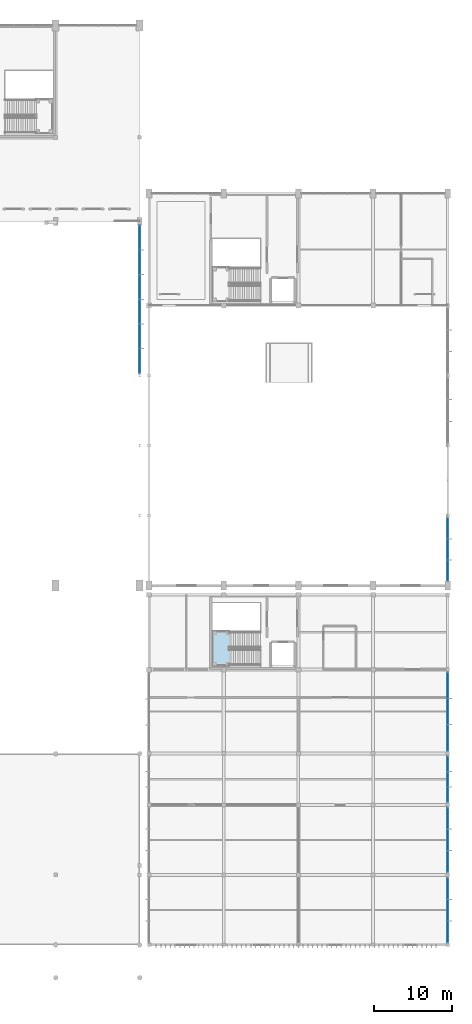
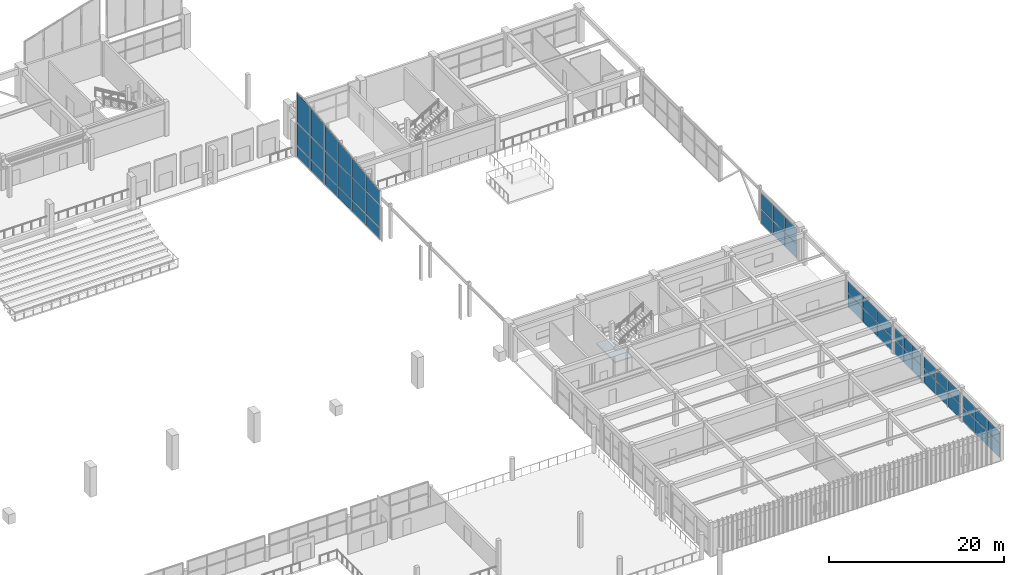
# One storey, part 45 of 74: 48 plates, 1 slab, 7 elements without a shape of their own.
"""IFC4 building model written with IfcOpenShell, lengths in metres."""

from ifc_helpers import new_model, si_unit, direction, frame, origin, place, context, subcontext, project, spatial, polyline, outline, extrude, material, layer, layer_set, type_object, element, aggregate, save


model = new_model("IFC4")

# Units and contexts
model_context = context("Model", 3, precision=1e-05, world=origin(), true_north=direction((0.0, 1.0)))
body_context = subcontext(model_context, "Body", "Model", "MODEL_VIEW")
ifc_project = project(units=[si_unit("LENGTHUNIT", "METRE"), si_unit("AREAUNIT", "SQUARE_METRE"), si_unit("VOLUMEUNIT", "CUBIC_METRE"), si_unit("PLANEANGLEUNIT", "RADIAN"), si_unit("MASSUNIT", "GRAM", prefix="KILO")], contexts=[model_context])

# Site, building, storey
site_placement = place(None, origin())
site = spatial("IfcSite", under=ifc_project, at=site_placement, CompositionType="ELEMENT")
building_placement = place(site_placement, origin())
building = spatial("IfcBuilding", under=site, at=building_placement, Name="Suirenkawa Promenade Aquatics Centre", CompositionType="ELEMENT")
storey_placement = place(building_placement, frame((0.0, 0.0, 4.800048828125)))
storey = spatial("IfcBuildingStorey", under=building, at=storey_placement, Name="L01", CompositionType="ELEMENT", Elevation=4.800048828125)

# Curtain wall, plates
ifc_material_1 = material(Name="Anodised aluminium 6063-T6", Category="aluminium")
curtain_wall_type_1 = type_object("IfcCurtainWallType", Name="CWAT-GABLEV1-04", PredefinedType="NOTDEFINED", material=ifc_material_1)
curtain_wall_1_placement = place(storey_placement, origin())
curtain_wall_1 = element("IfcCurtainWall", 1, at=curtain_wall_1_placement, inside=storey, type_object=curtain_wall_type_1, Name="Curtain wall CWA-04 CW-008", PredefinedType="NOTDEFINED")
ifc_material_2 = material(Name="Ceramic-fritted low-SHGC double glazing", Category="glass")
ifc_layer_1 = layer(ifc_material_2, 0.035888671875, Name="Ceramic-fritted low-SHGC double glazing", Category="glass")
ifc_layer_set_1 = layer_set([ifc_layer_1], Name="Ceramic-fritted low-SHGC double glazing")
plate_type = type_object("IfcPlateType", Name="CWP-SHOJI-36", PredefinedType="CURTAIN_PANEL", material=ifc_layer_set_1)
plate_1_placement = place(storey_placement, frame((154.800048828125, 96.700927734375, 0.0400390625), z_axis=(0.0, 0.0, 1.0), x_axis=(0.0, -1.0, 0.0)))
plate_1 = element("IfcPlate", 2, at=plate_1_placement, type_object=plate_type, Name="Glazed panel CP-01 CWP-00187", PredefinedType="CURTAIN_PANEL", context=body_context, shape_type="SweptSolid", body=[
    extrude(outline(polyline([(0.0400390625, 0.0), (3.126953125, 0.0), (3.126953125, 1.52001953125), (0.0400390625, 1.52001953125), (0.0400390625, 0.0)])), frame((0.0, 0.01806640625, 0.0), z_axis=(0.0, -1.0, 0.0), x_axis=(1.0, 0.0, 0.0)), (0.0, 0.0, 1.0), 0.035888671875),
])
plate_2_placement = place(storey_placement, frame((154.800048828125, 96.700927734375, 1.639892578125), z_axis=(0.0, 0.0, 1.0), x_axis=(0.0, -1.0, 0.0)))
plate_2 = element("IfcPlate", 3, at=plate_2_placement, type_object=plate_type, Name="Glazed panel CP-01 CWP-00188", PredefinedType="CURTAIN_PANEL", context=body_context, shape_type="SweptSolid", body=[
    extrude(outline(polyline([(0.0400390625, 0.0), (3.126953125, 0.0), (3.126953125, 3.1201171875), (0.0400390625, 3.1201171875), (0.0400390625, 0.0)])), frame((0.0, 0.01806640625, 0.0), z_axis=(0.0, -1.0, 0.0), x_axis=(1.0, 0.0, 0.0)), (0.0, 0.0, 1.0), 0.035888671875),
])
plate_3_placement = place(storey_placement, frame((154.800048828125, 96.700927734375, 4.83984375), z_axis=(0.0, 0.0, 1.0), x_axis=(0.0, -1.0, 0.0)))
plate_3 = element("IfcPlate", 4, at=plate_3_placement, type_object=plate_type, Name="Top glazed panel CP-01 CWP-00189", PredefinedType="CURTAIN_PANEL", context=body_context, shape_type="SweptSolid", body=[
    extrude(outline(polyline([(0.0400390625, 0.0), (3.126953125, 0.0), (3.126953125, 3.9296875), (0.0400390625, 4.1171875), (0.0400390625, 0.0)])), frame((0.0, 0.01806640625, 0.0), z_axis=(0.0, -1.0, 0.0), x_axis=(1.0, 0.0, 0.0)), (0.0, 0.0, 1.0), 0.035888671875),
])
plate_4_placement = place(storey_placement, frame((154.800048828125, 93.533935546875, 0.0400390625), z_axis=(0.0, 0.0, 1.0), x_axis=(0.0, -1.0, 0.0)))
plate_4 = element("IfcPlate", 5, at=plate_4_placement, type_object=plate_type, Name="Glazed panel CP-01 CWP-00190", PredefinedType="CURTAIN_PANEL", context=body_context, shape_type="SweptSolid", body=[
    extrude(outline(polyline([(0.0400390625, 0.0), (3.126953125, 0.0), (3.126953125, 1.52001953125), (0.0400390625, 1.52001953125), (0.0400390625, 0.0)])), frame((0.0, 0.01806640625, 0.0), z_axis=(0.0, -1.0, 0.0), x_axis=(1.0, 0.0, 0.0)), (0.0, 0.0, 1.0), 0.035888671875),
])
plate_5_placement = place(storey_placement, frame((154.800048828125, 93.533935546875, 1.639892578125), z_axis=(0.0, 0.0, 1.0), x_axis=(0.0, -1.0, 0.0)))
plate_5 = element("IfcPlate", 6, at=plate_5_placement, type_object=plate_type, Name="Glazed panel CP-01 CWP-00191", PredefinedType="CURTAIN_PANEL", context=body_context, shape_type="SweptSolid", body=[
    extrude(outline(polyline([(0.0400390625, 0.0), (3.126953125, 0.0), (3.126953125, 3.1201171875), (0.0400390625, 3.1201171875), (0.0400390625, 0.0)])), frame((0.0, 0.01806640625, 0.0), z_axis=(0.0, -1.0, 0.0), x_axis=(1.0, 0.0, 0.0)), (0.0, 0.0, 1.0), 0.035888671875),
])
plate_6_placement = place(storey_placement, frame((154.800048828125, 93.533935546875, 4.83984375), z_axis=(0.0, 0.0, 1.0), x_axis=(0.0, -1.0, 0.0)))
plate_6 = element("IfcPlate", 7, at=plate_6_placement, type_object=plate_type, Name="Top glazed panel CP-01 CWP-00192", PredefinedType="CURTAIN_PANEL", context=body_context, shape_type="SweptSolid", body=[
    extrude(outline(polyline([(0.0400390625, 0.0), (3.126953125, 0.0), (3.126953125, 3.521484375), (0.0400390625, 3.9296875), (0.0400390625, 0.0)])), frame((0.0, 0.01806640625, 0.0), z_axis=(0.0, -1.0, 0.0), x_axis=(1.0, 0.0, 0.0)), (0.0, 0.0, 1.0), 0.035888671875),
])
plate_7_placement = place(storey_placement, frame((154.800048828125, 90.366943359375, 0.0400390625), z_axis=(0.0, 0.0, 1.0), x_axis=(0.0, -1.0, 0.0)))
plate_7 = element("IfcPlate", 8, at=plate_7_placement, type_object=plate_type, Name="Glazed panel CP-01 CWP-00193", PredefinedType="CURTAIN_PANEL", context=body_context, shape_type="SweptSolid", body=[
    extrude(outline(polyline([(0.0400390625, 0.0), (3.126953125, 0.0), (3.126953125, 1.52001953125), (0.0400390625, 1.52001953125), (0.0400390625, 0.0)])), frame((0.0, 0.01806640625, 0.0), z_axis=(0.0, -1.0, 0.0), x_axis=(1.0, 0.0, 0.0)), (0.0, 0.0, 1.0), 0.035888671875),
])
plate_8_placement = place(storey_placement, frame((154.800048828125, 90.366943359375, 1.639892578125), z_axis=(0.0, 0.0, 1.0), x_axis=(0.0, -1.0, 0.0)))
plate_8 = element("IfcPlate", 9, at=plate_8_placement, type_object=plate_type, Name="Glazed panel CP-01 CWP-00194", PredefinedType="CURTAIN_PANEL", context=body_context, shape_type="SweptSolid", body=[
    extrude(outline(polyline([(0.0400390625, 0.0), (3.126953125, 0.0), (3.126953125, 3.1201171875), (0.0400390625, 3.1201171875), (0.0400390625, 0.0)])), frame((0.0, 0.01806640625, 0.0), z_axis=(0.0, -1.0, 0.0), x_axis=(1.0, 0.0, 0.0)), (0.0, 0.0, 1.0), 0.035888671875),
])
plate_9_placement = place(storey_placement, frame((154.800048828125, 90.366943359375, 4.83984375), z_axis=(0.0, 0.0, 1.0), x_axis=(0.0, -1.0, 0.0)))
plate_9 = element("IfcPlate", 10, at=plate_9_placement, type_object=plate_type, Name="Top glazed panel CP-01 CWP-00195", PredefinedType="CURTAIN_PANEL", context=body_context, shape_type="SweptSolid", body=[
    extrude(outline(polyline([(0.0400390625, 0.0), (3.126953125, 0.0), (3.126953125, 3.11328125), (0.0400390625, 3.521484375), (0.0400390625, 0.0)])), frame((0.0, 0.01806640625, 0.0), z_axis=(0.0, -1.0, 0.0), x_axis=(1.0, 0.0, 0.0)), (0.0, 0.0, 1.0), 0.035888671875),
])
plate_10_placement = place(storey_placement, frame((154.800048828125, 87.199951171875, 0.0400390625), z_axis=(0.0, 0.0, 1.0), x_axis=(0.0, -1.0, 0.0)))
plate_10 = element("IfcPlate", 11, at=plate_10_placement, type_object=plate_type, Name="Glazed panel CP-01 CWP-00196", PredefinedType="CURTAIN_PANEL", context=body_context, shape_type="SweptSolid", body=[
    extrude(outline(polyline([(0.0400390625, 0.0), (3.126953125, 0.0), (3.126953125, 1.52001953125), (0.0400390625, 1.52001953125), (0.0400390625, 0.0)])), frame((0.0, 0.01806640625, 0.0), z_axis=(0.0, -1.0, 0.0), x_axis=(1.0, 0.0, 0.0)), (0.0, 0.0, 1.0), 0.035888671875),
])
plate_11_placement = place(storey_placement, frame((154.800048828125, 87.199951171875, 1.639892578125), z_axis=(0.0, 0.0, 1.0), x_axis=(0.0, -1.0, 0.0)))
plate_11 = element("IfcPlate", 12, at=plate_11_placement, type_object=plate_type, Name="Glazed panel CP-01 CWP-00197", PredefinedType="CURTAIN_PANEL", context=body_context, shape_type="SweptSolid", body=[
    extrude(outline(polyline([(0.0400390625, 0.0), (3.126953125, 0.0), (3.126953125, 3.1201171875), (0.0400390625, 3.1201171875), (0.0400390625, 0.0)])), frame((0.0, 0.01806640625, 0.0), z_axis=(0.0, -1.0, 0.0), x_axis=(1.0, 0.0, 0.0)), (0.0, 0.0, 1.0), 0.035888671875),
])
plate_12_placement = place(storey_placement, frame((154.800048828125, 87.199951171875, 4.83984375), z_axis=(0.0, 0.0, 1.0), x_axis=(0.0, -1.0, 0.0)))
plate_12 = element("IfcPlate", 13, at=plate_12_placement, type_object=plate_type, Name="Top glazed panel CP-01 CWP-00198", PredefinedType="CURTAIN_PANEL", context=body_context, shape_type="SweptSolid", body=[
    extrude(outline(polyline([(0.0400390625, 0.0), (3.126953125, 0.0), (3.126953125, 2.705078125), (0.0400390625, 3.11328125), (0.0400390625, 0.0)])), frame((0.0, 0.01806640625, 0.0), z_axis=(0.0, -1.0, 0.0), x_axis=(1.0, 0.0, 0.0)), (0.0, 0.0, 1.0), 0.035888671875),
])
plate_13_placement = place(storey_placement, frame((154.800048828125, 84.032958984375, 0.0400390625), z_axis=(0.0, 0.0, 1.0), x_axis=(0.0, -1.0, 0.0)))
plate_13 = element("IfcPlate", 14, at=plate_13_placement, type_object=plate_type, Name="Glazed panel CP-01 CWP-00199", PredefinedType="CURTAIN_PANEL", context=body_context, shape_type="SweptSolid", body=[
    extrude(outline(polyline([(0.0400390625, 0.0), (3.126953125, 0.0), (3.126953125, 1.52001953125), (0.0400390625, 1.52001953125), (0.0400390625, 0.0)])), frame((0.0, 0.01806640625, 0.0), z_axis=(0.0, -1.0, 0.0), x_axis=(1.0, 0.0, 0.0)), (0.0, 0.0, 1.0), 0.035888671875),
])
plate_14_placement = place(storey_placement, frame((154.800048828125, 84.032958984375, 1.639892578125), z_axis=(0.0, 0.0, 1.0), x_axis=(0.0, -1.0, 0.0)))
plate_14 = element("IfcPlate", 15, at=plate_14_placement, type_object=plate_type, Name="Glazed panel CP-01 CWP-00200", PredefinedType="CURTAIN_PANEL", context=body_context, shape_type="SweptSolid", body=[
    extrude(outline(polyline([(0.0400390625, 0.0), (3.126953125, 0.0), (3.126953125, 3.1201171875), (0.0400390625, 3.1201171875), (0.0400390625, 0.0)])), frame((0.0, 0.01806640625, 0.0), z_axis=(0.0, -1.0, 0.0), x_axis=(1.0, 0.0, 0.0)), (0.0, 0.0, 1.0), 0.035888671875),
])
plate_15_placement = place(storey_placement, frame((154.800048828125, 84.032958984375, 4.83984375), z_axis=(0.0, 0.0, 1.0), x_axis=(0.0, -1.0, 0.0)))
plate_15 = element("IfcPlate", 16, at=plate_15_placement, type_object=plate_type, Name="Top glazed panel CP-01 CWP-00201", PredefinedType="CURTAIN_PANEL", context=body_context, shape_type="SweptSolid", body=[
    extrude(outline(polyline([(0.0400390625, 0.0), (3.126953125, 0.0), (3.126953125, 2.296875), (0.0400390625, 2.705078125), (0.0400390625, 0.0)])), frame((0.0, 0.01806640625, 0.0), z_axis=(0.0, -1.0, 0.0), x_axis=(1.0, 0.0, 0.0)), (0.0, 0.0, 1.0), 0.035888671875),
])
plate_16_placement = place(storey_placement, frame((154.800048828125, 80.865966796875, 0.0400390625), z_axis=(0.0, 0.0, 1.0), x_axis=(0.0, -1.0, 0.0)))
plate_16 = element("IfcPlate", 17, at=plate_16_placement, type_object=plate_type, Name="Glazed panel CP-01 CWP-00202", PredefinedType="CURTAIN_PANEL", context=body_context, shape_type="SweptSolid", body=[
    extrude(outline(polyline([(0.0400390625, 0.0), (3.126953125, 0.0), (3.126953125, 1.52001953125), (0.0400390625, 1.52001953125), (0.0400390625, 0.0)])), frame((0.0, 0.01806640625, 0.0), z_axis=(0.0, -1.0, 0.0), x_axis=(1.0, 0.0, 0.0)), (0.0, 0.0, 1.0), 0.035888671875),
])
plate_17_placement = place(storey_placement, frame((154.800048828125, 80.865966796875, 1.639892578125), z_axis=(0.0, 0.0, 1.0), x_axis=(0.0, -1.0, 0.0)))
plate_17 = element("IfcPlate", 18, at=plate_17_placement, type_object=plate_type, Name="Glazed panel CP-01 CWP-00203", PredefinedType="CURTAIN_PANEL", context=body_context, shape_type="SweptSolid", body=[
    extrude(outline(polyline([(0.0400390625, 0.0), (3.126953125, 0.0), (3.126953125, 3.1201171875), (0.0400390625, 3.1201171875), (0.0400390625, 0.0)])), frame((0.0, 0.01806640625, 0.0), z_axis=(0.0, -1.0, 0.0), x_axis=(1.0, 0.0, 0.0)), (0.0, 0.0, 1.0), 0.035888671875),
])
plate_18_placement = place(storey_placement, frame((154.800048828125, 80.865966796875, 4.83984375), z_axis=(0.0, 0.0, 1.0), x_axis=(0.0, -1.0, 0.0)))
plate_18 = element("IfcPlate", 19, at=plate_18_placement, type_object=plate_type, Name="Top glazed panel CP-01 CWP-00204", PredefinedType="CURTAIN_PANEL", context=body_context, shape_type="SweptSolid", body=[
    extrude(outline(polyline([(0.0400390625, 0.0), (3.126953125, 0.0), (3.126953125, 1.888671875), (0.0400390625, 2.296875), (0.0400390625, 0.0)])), frame((0.0, 0.01806640625, 0.0), z_axis=(0.0, -1.0, 0.0), x_axis=(1.0, 0.0, 0.0)), (0.0, 0.0, 1.0), 0.035888671875),
])
aggregate(curtain_wall_1, [plate_1, plate_2, plate_3, plate_4, plate_5, plate_6, plate_7, plate_8, plate_9, plate_10, plate_11, plate_12, plate_13, plate_14, plate_15, plate_16, plate_17, plate_18])

curtain_wall_type_2 = type_object("IfcCurtainWallType", Name="CWAT-V2E-20", PredefinedType="NOTDEFINED", material=ifc_material_1)
curtain_wall_2_placement = place(storey_placement, origin())
curtain_wall_2 = element("IfcCurtainWall", 20, at=curtain_wall_2_placement, inside=storey, type_object=curtain_wall_type_2, Name="Curtain wall CWA-20 CW-048", PredefinedType="NOTDEFINED")
plate_19_placement = place(storey_placement, frame((194.39990234375, 59.10107421875, -0.31005859375), z_axis=(0.0, 0.0, 1.0), x_axis=(0.0, -1.0, 0.0)))
plate_19 = element("IfcPlate", 21, at=plate_19_placement, type_object=plate_type, Name="Glazed panel CP-01 CWP-00984", PredefinedType="CURTAIN_PANEL", context=body_context, shape_type="SweptSolid", body=[
    extrude(outline(polyline([(0.0400390625, 0.0), (2.66064453125, 0.0), (2.66064453125, 1.969970703125), (0.0400390625, 1.969970703125), (0.0400390625, 0.0)])), frame((0.0, 0.01806640625, 0.0), z_axis=(0.0, -1.0, 0.0), x_axis=(1.0, 0.0, 0.0)), (0.0, 0.0, 1.0), 0.035888671875),
])
plate_20_placement = place(storey_placement, frame((194.39990234375, 59.10107421875, 1.739990234375), z_axis=(0.0, 0.0, 1.0), x_axis=(0.0, -1.0, 0.0)))
plate_20 = element("IfcPlate", 22, at=plate_20_placement, type_object=plate_type, Name="Top glazed panel CP-01 CWP-00985", PredefinedType="CURTAIN_PANEL", context=body_context, shape_type="SweptSolid", body=[
    extrude(outline(polyline([(0.0400390625, 0.0), (2.66064453125, 0.0), (2.66064453125, 2.125), (0.0400390625, 2.125), (0.0400390625, 0.0)])), frame((0.0, 0.01806640625, 0.0), z_axis=(0.0, -1.0, 0.0), x_axis=(1.0, 0.0, 0.0)), (0.0, 0.0, 1.0), 0.035888671875),
])
plate_21_placement = place(storey_placement, frame((194.39990234375, 56.400390625, -0.31005859375), z_axis=(0.0, 0.0, 1.0), x_axis=(0.0, -1.0, 0.0)))
plate_21 = element("IfcPlate", 23, at=plate_21_placement, type_object=plate_type, Name="Glazed panel CP-01 CWP-00986", PredefinedType="CURTAIN_PANEL", context=body_context, shape_type="SweptSolid", body=[
    extrude(outline(polyline([(0.0400390625, 0.0), (2.66064453125, 0.0), (2.66064453125, 1.969970703125), (0.0400390625, 1.969970703125), (0.0400390625, 0.0)])), frame((0.0, 0.01806640625, 0.0), z_axis=(0.0, -1.0, 0.0), x_axis=(1.0, 0.0, 0.0)), (0.0, 0.0, 1.0), 0.035888671875),
])
plate_22_placement = place(storey_placement, frame((194.39990234375, 56.400390625, 1.739990234375), z_axis=(0.0, 0.0, 1.0), x_axis=(0.0, -1.0, 0.0)))
plate_22 = element("IfcPlate", 24, at=plate_22_placement, type_object=plate_type, Name="Top glazed panel CP-01 CWP-00987", PredefinedType="CURTAIN_PANEL", context=body_context, shape_type="SweptSolid", body=[
    extrude(outline(polyline([(0.0400390625, 0.0), (2.66064453125, 0.0), (2.66064453125, 2.125), (0.0400390625, 2.125), (0.0400390625, 0.0)])), frame((0.0, 0.01806640625, 0.0), z_axis=(0.0, -1.0, 0.0), x_axis=(1.0, 0.0, 0.0)), (0.0, 0.0, 1.0), 0.035888671875),
])
plate_23_placement = place(storey_placement, frame((194.39990234375, 53.69970703125, -0.31005859375), z_axis=(0.0, 0.0, 1.0), x_axis=(0.0, -1.0, 0.0)))
plate_23 = element("IfcPlate", 25, at=plate_23_placement, type_object=plate_type, Name="Glazed panel CP-01 CWP-00988", PredefinedType="CURTAIN_PANEL", context=body_context, shape_type="SweptSolid", body=[
    extrude(outline(polyline([(0.0400390625, 0.0), (2.66064453125, 0.0), (2.66064453125, 1.969970703125), (0.0400390625, 1.969970703125), (0.0400390625, 0.0)])), frame((0.0, 0.01806640625, 0.0), z_axis=(0.0, -1.0, 0.0), x_axis=(1.0, 0.0, 0.0)), (0.0, 0.0, 1.0), 0.035888671875),
])
plate_24_placement = place(storey_placement, frame((194.39990234375, 53.69970703125, 1.739990234375), z_axis=(0.0, 0.0, 1.0), x_axis=(0.0, -1.0, 0.0)))
plate_24 = element("IfcPlate", 26, at=plate_24_placement, type_object=plate_type, Name="Top glazed panel CP-01 CWP-00989", PredefinedType="CURTAIN_PANEL", context=body_context, shape_type="SweptSolid", body=[
    extrude(outline(polyline([(0.0400390625, 0.0), (2.66064453125, 0.0), (2.66064453125, 2.125), (0.0400390625, 2.125), (0.0400390625, 0.0)])), frame((0.0, 0.01806640625, 0.0), z_axis=(0.0, -1.0, 0.0), x_axis=(1.0, 0.0, 0.0)), (0.0, 0.0, 1.0), 0.035888671875),
])
aggregate(curtain_wall_2, [plate_19, plate_20, plate_21, plate_22, plate_23, plate_24])

curtain_wall_type_3 = type_object("IfcCurtainWallType", Name="CWAT-V4EL01-29", PredefinedType="NOTDEFINED", material=ifc_material_1)
curtain_wall_3_placement = place(storey_placement, origin())
curtain_wall_3 = element("IfcCurtainWall", 27, at=curtain_wall_3_placement, inside=storey, type_object=curtain_wall_type_3, Name="Curtain wall CWA-29 CW-072", PredefinedType="NOTDEFINED")
plate_25_placement = place(storey_placement, frame((194.39990234375, 12.85107421875, 0.0400390625), z_axis=(0.0, 0.0, 1.0), x_axis=(0.0, -1.0, 0.0)))
plate_25 = element("IfcPlate", 28, at=plate_25_placement, type_object=plate_type, Name="Glazed panel CP-01 CWP-01459", PredefinedType="CURTAIN_PANEL", context=body_context, shape_type="SweptSolid", body=[
    extrude(outline(polyline([(0.0400390625, 0.0), (2.743896484375, 0.0), (2.743896484375, 1.919921875), (0.0400390625, 1.919921875), (0.0400390625, 0.0)])), frame((0.0, 0.01806640625, 0.0), z_axis=(0.0, -1.0, 0.0), x_axis=(1.0, 0.0, 0.0)), (0.0, 0.0, 1.0), 0.035888671875),
])
plate_26_placement = place(storey_placement, frame((194.39990234375, 12.85107421875, 2.0400390625), z_axis=(0.0, 0.0, 1.0), x_axis=(0.0, -1.0, 0.0)))
plate_26 = element("IfcPlate", 29, at=plate_26_placement, type_object=plate_type, Name="Top glazed panel CP-01 CWP-01460", PredefinedType="CURTAIN_PANEL", context=body_context, shape_type="SweptSolid", body=[
    extrude(outline(polyline([(0.0400390625, 0.0), (2.743896484375, 0.0), (2.743896484375, 1.639892578125), (0.0400390625, 1.639892578125), (0.0400390625, 0.0)])), frame((0.0, 0.01806640625, 0.0), z_axis=(0.0, -1.0, 0.0), x_axis=(1.0, 0.0, 0.0)), (0.0, 0.0, 1.0), 0.035888671875),
])
plate_27_placement = place(storey_placement, frame((194.39990234375, 10.06689453125, 0.0400390625), z_axis=(0.0, 0.0, 1.0), x_axis=(0.0, -1.0, 0.0)))
plate_27 = element("IfcPlate", 30, at=plate_27_placement, type_object=plate_type, Name="Glazed panel CP-01 CWP-01461", PredefinedType="CURTAIN_PANEL", context=body_context, shape_type="SweptSolid", body=[
    extrude(outline(polyline([(0.0400390625, 0.0), (2.743896484375, 0.0), (2.743896484375, 1.919921875), (0.0400390625, 1.919921875), (0.0400390625, 0.0)])), frame((0.0, 0.01806640625, 0.0), z_axis=(0.0, -1.0, 0.0), x_axis=(1.0, 0.0, 0.0)), (0.0, 0.0, 1.0), 0.035888671875),
])
plate_28_placement = place(storey_placement, frame((194.39990234375, 10.06689453125, 2.0400390625), z_axis=(0.0, 0.0, 1.0), x_axis=(0.0, -1.0, 0.0)))
plate_28 = element("IfcPlate", 31, at=plate_28_placement, type_object=plate_type, Name="Top glazed panel CP-01 CWP-01462", PredefinedType="CURTAIN_PANEL", context=body_context, shape_type="SweptSolid", body=[
    extrude(outline(polyline([(0.0400390625, 0.0), (2.743896484375, 0.0), (2.743896484375, 1.639892578125), (0.0400390625, 1.639892578125), (0.0400390625, 0.0)])), frame((0.0, 0.01806640625, 0.0), z_axis=(0.0, -1.0, 0.0), x_axis=(1.0, 0.0, 0.0)), (0.0, 0.0, 1.0), 0.035888671875),
])
plate_29_placement = place(storey_placement, frame((194.39990234375, 7.282958984375, 0.0400390625), z_axis=(0.0, 0.0, 1.0), x_axis=(0.0, -1.0, 0.0)))
plate_29 = element("IfcPlate", 32, at=plate_29_placement, type_object=plate_type, Name="Glazed panel CP-01 CWP-01463", PredefinedType="CURTAIN_PANEL", context=body_context, shape_type="SweptSolid", body=[
    extrude(outline(polyline([(0.0400390625, 0.0), (2.743896484375, 0.0), (2.743896484375, 1.919921875), (0.0400390625, 1.919921875), (0.0400390625, 0.0)])), frame((0.0, 0.01806640625, 0.0), z_axis=(0.0, -1.0, 0.0), x_axis=(1.0, 0.0, 0.0)), (0.0, 0.0, 1.0), 0.035888671875),
])
plate_30_placement = place(storey_placement, frame((194.39990234375, 7.282958984375, 2.0400390625), z_axis=(0.0, 0.0, 1.0), x_axis=(0.0, -1.0, 0.0)))
plate_30 = element("IfcPlate", 33, at=plate_30_placement, type_object=plate_type, Name="Top glazed panel CP-01 CWP-01464", PredefinedType="CURTAIN_PANEL", context=body_context, shape_type="SweptSolid", body=[
    extrude(outline(polyline([(0.0400390625, 0.0), (2.743896484375, 0.0), (2.743896484375, 1.639892578125), (0.0400390625, 1.639892578125), (0.0400390625, 0.0)])), frame((0.0, 0.01806640625, 0.0), z_axis=(0.0, -1.0, 0.0), x_axis=(1.0, 0.0, 0.0)), (0.0, 0.0, 1.0), 0.035888671875),
])
aggregate(curtain_wall_3, [plate_25, plate_26, plate_27, plate_28, plate_29, plate_30])

curtain_wall_type_4 = type_object("IfcCurtainWallType", Name="CWAT-V4EL01-31", PredefinedType="NOTDEFINED", material=ifc_material_1)
curtain_wall_4_placement = place(storey_placement, origin())
curtain_wall_4 = element("IfcCurtainWall", 34, at=curtain_wall_4_placement, inside=storey, type_object=curtain_wall_type_4, Name="Curtain wall CWA-31 CW-074", PredefinedType="NOTDEFINED")
plate_31_placement = place(storey_placement, frame((194.39990234375, 21.85107421875, 0.0400390625), z_axis=(0.0, 0.0, 1.0), x_axis=(0.0, -1.0, 0.0)))
plate_31 = element("IfcPlate", 35, at=plate_31_placement, type_object=plate_type, Name="Glazed panel CP-01 CWP-01493", PredefinedType="CURTAIN_PANEL", context=body_context, shape_type="SweptSolid", body=[
    extrude(outline(polyline([(0.0400390625, 0.0), (2.727294921875, 0.0), (2.727294921875, 1.919921875), (0.0400390625, 1.919921875), (0.0400390625, 0.0)])), frame((0.0, 0.01806640625, 0.0), z_axis=(0.0, -1.0, 0.0), x_axis=(1.0, 0.0, 0.0)), (0.0, 0.0, 1.0), 0.035888671875),
])
plate_32_placement = place(storey_placement, frame((194.39990234375, 21.85107421875, 2.0400390625), z_axis=(0.0, 0.0, 1.0), x_axis=(0.0, -1.0, 0.0)))
plate_32 = element("IfcPlate", 36, at=plate_32_placement, type_object=plate_type, Name="Top glazed panel CP-01 CWP-01494", PredefinedType="CURTAIN_PANEL", context=body_context, shape_type="SweptSolid", body=[
    extrude(outline(polyline([(0.0400390625, 0.0), (2.727294921875, 0.0), (2.727294921875, 1.639892578125), (0.0400390625, 1.639892578125), (0.0400390625, 0.0)])), frame((0.0, 0.01806640625, 0.0), z_axis=(0.0, -1.0, 0.0), x_axis=(1.0, 0.0, 0.0)), (0.0, 0.0, 1.0), 0.035888671875),
])
plate_33_placement = place(storey_placement, frame((194.39990234375, 19.083740234375, 0.0400390625), z_axis=(0.0, 0.0, 1.0), x_axis=(0.0, -1.0, 0.0)))
plate_33 = element("IfcPlate", 37, at=plate_33_placement, type_object=plate_type, Name="Glazed panel CP-01 CWP-01495", PredefinedType="CURTAIN_PANEL", context=body_context, shape_type="SweptSolid", body=[
    extrude(outline(polyline([(0.0400390625, 0.0), (2.727294921875, 0.0), (2.727294921875, 1.919921875), (0.0400390625, 1.919921875), (0.0400390625, 0.0)])), frame((0.0, 0.01806640625, 0.0), z_axis=(0.0, -1.0, 0.0), x_axis=(1.0, 0.0, 0.0)), (0.0, 0.0, 1.0), 0.035888671875),
])
plate_34_placement = place(storey_placement, frame((194.39990234375, 19.083740234375, 2.0400390625), z_axis=(0.0, 0.0, 1.0), x_axis=(0.0, -1.0, 0.0)))
plate_34 = element("IfcPlate", 38, at=plate_34_placement, type_object=plate_type, Name="Top glazed panel CP-01 CWP-01496", PredefinedType="CURTAIN_PANEL", context=body_context, shape_type="SweptSolid", body=[
    extrude(outline(polyline([(0.0400390625, 0.0), (2.727294921875, 0.0), (2.727294921875, 1.639892578125), (0.0400390625, 1.639892578125), (0.0400390625, 0.0)])), frame((0.0, 0.01806640625, 0.0), z_axis=(0.0, -1.0, 0.0), x_axis=(1.0, 0.0, 0.0)), (0.0, 0.0, 1.0), 0.035888671875),
])
plate_35_placement = place(storey_placement, frame((194.39990234375, 16.31640625, 0.0400390625), z_axis=(0.0, 0.0, 1.0), x_axis=(0.0, -1.0, 0.0)))
plate_35 = element("IfcPlate", 39, at=plate_35_placement, type_object=plate_type, Name="Glazed panel CP-01 CWP-01497", PredefinedType="CURTAIN_PANEL", context=body_context, shape_type="SweptSolid", body=[
    extrude(outline(polyline([(0.0400390625, 0.0), (2.727294921875, 0.0), (2.727294921875, 1.919921875), (0.0400390625, 1.919921875), (0.0400390625, 0.0)])), frame((0.0, 0.01806640625, 0.0), z_axis=(0.0, -1.0, 0.0), x_axis=(1.0, 0.0, 0.0)), (0.0, 0.0, 1.0), 0.035888671875),
])
plate_36_placement = place(storey_placement, frame((194.39990234375, 16.31640625, 2.0400390625), z_axis=(0.0, 0.0, 1.0), x_axis=(0.0, -1.0, 0.0)))
plate_36 = element("IfcPlate", 40, at=plate_36_placement, type_object=plate_type, Name="Top glazed panel CP-01 CWP-01498", PredefinedType="CURTAIN_PANEL", context=body_context, shape_type="SweptSolid", body=[
    extrude(outline(polyline([(0.0400390625, 0.0), (2.727294921875, 0.0), (2.727294921875, 1.639892578125), (0.0400390625, 1.639892578125), (0.0400390625, 0.0)])), frame((0.0, 0.01806640625, 0.0), z_axis=(0.0, -1.0, 0.0), x_axis=(1.0, 0.0, 0.0)), (0.0, 0.0, 1.0), 0.035888671875),
])
aggregate(curtain_wall_4, [plate_31, plate_32, plate_33, plate_34, plate_35, plate_36])

curtain_wall_type_5 = type_object("IfcCurtainWallType", Name="CWAT-V4EL01-33", PredefinedType="NOTDEFINED", material=ifc_material_1)
curtain_wall_5_placement = place(storey_placement, origin())
curtain_wall_5 = element("IfcCurtainWall", 41, at=curtain_wall_5_placement, inside=storey, type_object=curtain_wall_type_5, Name="Curtain wall CWA-33 CW-076", PredefinedType="NOTDEFINED")
plate_37_placement = place(storey_placement, frame((194.39990234375, 28.450927734375, 0.0400390625), z_axis=(0.0, 0.0, 1.0), x_axis=(0.0, -1.0, 0.0)))
plate_37 = element("IfcPlate", 42, at=plate_37_placement, type_object=plate_type, Name="Glazed panel CP-01 CWP-01527", PredefinedType="CURTAIN_PANEL", context=body_context, shape_type="SweptSolid", body=[
    extrude(outline(polyline([(0.0400390625, 0.0), (1.92724609375, 0.0), (1.92724609375, 1.919921875), (0.0400390625, 1.919921875), (0.0400390625, 0.0)])), frame((0.0, 0.01806640625, 0.0), z_axis=(0.0, -1.0, 0.0), x_axis=(1.0, 0.0, 0.0)), (0.0, 0.0, 1.0), 0.035888671875),
])
plate_38_placement = place(storey_placement, frame((194.39990234375, 28.450927734375, 2.0400390625), z_axis=(0.0, 0.0, 1.0), x_axis=(0.0, -1.0, 0.0)))
plate_38 = element("IfcPlate", 43, at=plate_38_placement, type_object=plate_type, Name="Top glazed panel CP-01 CWP-01528", PredefinedType="CURTAIN_PANEL", context=body_context, shape_type="SweptSolid", body=[
    extrude(outline(polyline([(0.0400390625, 0.0), (1.92724609375, 0.0), (1.92724609375, 1.639892578125), (0.0400390625, 1.639892578125), (0.0400390625, 0.0)])), frame((0.0, 0.01806640625, 0.0), z_axis=(0.0, -1.0, 0.0), x_axis=(1.0, 0.0, 0.0)), (0.0, 0.0, 1.0), 0.035888671875),
])
plate_39_placement = place(storey_placement, frame((194.39990234375, 26.483642578125, 0.0400390625), z_axis=(0.0, 0.0, 1.0), x_axis=(0.0, -1.0, 0.0)))
plate_39 = element("IfcPlate", 44, at=plate_39_placement, type_object=plate_type, Name="Glazed panel CP-01 CWP-01529", PredefinedType="CURTAIN_PANEL", context=body_context, shape_type="SweptSolid", body=[
    extrude(outline(polyline([(0.0400390625, 0.0), (1.92724609375, 0.0), (1.92724609375, 1.919921875), (0.0400390625, 1.919921875), (0.0400390625, 0.0)])), frame((0.0, 0.01806640625, 0.0), z_axis=(0.0, -1.0, 0.0), x_axis=(1.0, 0.0, 0.0)), (0.0, 0.0, 1.0), 0.035888671875),
])
plate_40_placement = place(storey_placement, frame((194.39990234375, 26.483642578125, 2.0400390625), z_axis=(0.0, 0.0, 1.0), x_axis=(0.0, -1.0, 0.0)))
plate_40 = element("IfcPlate", 45, at=plate_40_placement, type_object=plate_type, Name="Top glazed panel CP-01 CWP-01530", PredefinedType="CURTAIN_PANEL", context=body_context, shape_type="SweptSolid", body=[
    extrude(outline(polyline([(0.0400390625, 0.0), (1.92724609375, 0.0), (1.92724609375, 1.639892578125), (0.0400390625, 1.639892578125), (0.0400390625, 0.0)])), frame((0.0, 0.01806640625, 0.0), z_axis=(0.0, -1.0, 0.0), x_axis=(1.0, 0.0, 0.0)), (0.0, 0.0, 1.0), 0.035888671875),
])
plate_41_placement = place(storey_placement, frame((194.39990234375, 24.516357421875, 0.0400390625), z_axis=(0.0, 0.0, 1.0), x_axis=(0.0, -1.0, 0.0)))
plate_41 = element("IfcPlate", 46, at=plate_41_placement, type_object=plate_type, Name="Glazed panel CP-01 CWP-01531", PredefinedType="CURTAIN_PANEL", context=body_context, shape_type="SweptSolid", body=[
    extrude(outline(polyline([(0.0400390625, 0.0), (1.92724609375, 0.0), (1.92724609375, 1.919921875), (0.0400390625, 1.919921875), (0.0400390625, 0.0)])), frame((0.0, 0.01806640625, 0.0), z_axis=(0.0, -1.0, 0.0), x_axis=(1.0, 0.0, 0.0)), (0.0, 0.0, 1.0), 0.035888671875),
])
plate_42_placement = place(storey_placement, frame((194.39990234375, 24.516357421875, 2.0400390625), z_axis=(0.0, 0.0, 1.0), x_axis=(0.0, -1.0, 0.0)))
plate_42 = element("IfcPlate", 47, at=plate_42_placement, type_object=plate_type, Name="Top glazed panel CP-01 CWP-01532", PredefinedType="CURTAIN_PANEL", context=body_context, shape_type="SweptSolid", body=[
    extrude(outline(polyline([(0.0400390625, 0.0), (1.92724609375, 0.0), (1.92724609375, 1.639892578125), (0.0400390625, 1.639892578125), (0.0400390625, 0.0)])), frame((0.0, 0.01806640625, 0.0), z_axis=(0.0, -1.0, 0.0), x_axis=(1.0, 0.0, 0.0)), (0.0, 0.0, 1.0), 0.035888671875),
])
aggregate(curtain_wall_5, [plate_37, plate_38, plate_39, plate_40, plate_41, plate_42])

curtain_wall_type_6 = type_object("IfcCurtainWallType", Name="CWAT-V4EL01-35", PredefinedType="NOTDEFINED", material=ifc_material_1)
curtain_wall_6_placement = place(storey_placement, origin())
curtain_wall_6 = element("IfcCurtainWall", 48, at=curtain_wall_6_placement, inside=storey, type_object=curtain_wall_type_6, Name="Curtain wall CWA-35 CW-078", PredefinedType="NOTDEFINED")
plate_43_placement = place(storey_placement, frame((194.39990234375, 39.2509765625, 0.0400390625), z_axis=(0.0, 0.0, 1.0), x_axis=(0.0, -1.0, 0.0)))
plate_43 = element("IfcPlate", 49, at=plate_43_placement, type_object=plate_type, Name="Glazed panel CP-01 CWP-01561", PredefinedType="CURTAIN_PANEL", context=body_context, shape_type="SweptSolid", body=[
    extrude(outline(polyline([(0.0400390625, 0.0), (3.327392578125, 0.0), (3.327392578125, 1.919921875), (0.0400390625, 1.919921875), (0.0400390625, 0.0)])), frame((0.0, 0.01806640625, 0.0), z_axis=(0.0, -1.0, 0.0), x_axis=(1.0, 0.0, 0.0)), (0.0, 0.0, 1.0), 0.035888671875),
])
plate_44_placement = place(storey_placement, frame((194.39990234375, 39.2509765625, 2.0400390625), z_axis=(0.0, 0.0, 1.0), x_axis=(0.0, -1.0, 0.0)))
plate_44 = element("IfcPlate", 50, at=plate_44_placement, type_object=plate_type, Name="Top glazed panel CP-01 CWP-01562", PredefinedType="CURTAIN_PANEL", context=body_context, shape_type="SweptSolid", body=[
    extrude(outline(polyline([(0.0400390625, 0.0), (3.327392578125, 0.0), (3.327392578125, 1.639892578125), (0.0400390625, 1.639892578125), (0.0400390625, 0.0)])), frame((0.0, 0.01806640625, 0.0), z_axis=(0.0, -1.0, 0.0), x_axis=(1.0, 0.0, 0.0)), (0.0, 0.0, 1.0), 0.035888671875),
])
plate_45_placement = place(storey_placement, frame((194.39990234375, 35.8837890625, 0.0400390625), z_axis=(0.0, 0.0, 1.0), x_axis=(0.0, -1.0, 0.0)))
plate_45 = element("IfcPlate", 51, at=plate_45_placement, type_object=plate_type, Name="Glazed panel CP-01 CWP-01563", PredefinedType="CURTAIN_PANEL", context=body_context, shape_type="SweptSolid", body=[
    extrude(outline(polyline([(0.0400390625, 0.0), (3.327392578125, 0.0), (3.327392578125, 1.919921875), (0.0400390625, 1.919921875), (0.0400390625, 0.0)])), frame((0.0, 0.01806640625, 0.0), z_axis=(0.0, -1.0, 0.0), x_axis=(1.0, 0.0, 0.0)), (0.0, 0.0, 1.0), 0.035888671875),
])
plate_46_placement = place(storey_placement, frame((194.39990234375, 35.8837890625, 2.0400390625), z_axis=(0.0, 0.0, 1.0), x_axis=(0.0, -1.0, 0.0)))
plate_46 = element("IfcPlate", 52, at=plate_46_placement, type_object=plate_type, Name="Top glazed panel CP-01 CWP-01564", PredefinedType="CURTAIN_PANEL", context=body_context, shape_type="SweptSolid", body=[
    extrude(outline(polyline([(0.0400390625, 0.0), (3.327392578125, 0.0), (3.327392578125, 1.639892578125), (0.0400390625, 1.639892578125), (0.0400390625, 0.0)])), frame((0.0, 0.01806640625, 0.0), z_axis=(0.0, -1.0, 0.0), x_axis=(1.0, 0.0, 0.0)), (0.0, 0.0, 1.0), 0.035888671875),
])
plate_47_placement = place(storey_placement, frame((194.39990234375, 32.516357421875, 0.0400390625), z_axis=(0.0, 0.0, 1.0), x_axis=(0.0, -1.0, 0.0)))
plate_47 = element("IfcPlate", 53, at=plate_47_placement, type_object=plate_type, Name="Glazed panel CP-01 CWP-01565", PredefinedType="CURTAIN_PANEL", context=body_context, shape_type="SweptSolid", body=[
    extrude(outline(polyline([(0.0400390625, 0.0), (3.327392578125, 0.0), (3.327392578125, 1.919921875), (0.0400390625, 1.919921875), (0.0400390625, 0.0)])), frame((0.0, 0.01806640625, 0.0), z_axis=(0.0, -1.0, 0.0), x_axis=(1.0, 0.0, 0.0)), (0.0, 0.0, 1.0), 0.035888671875),
])
plate_48_placement = place(storey_placement, frame((194.39990234375, 32.516357421875, 2.0400390625), z_axis=(0.0, 0.0, 1.0), x_axis=(0.0, -1.0, 0.0)))
plate_48 = element("IfcPlate", 54, at=plate_48_placement, type_object=plate_type, Name="Top glazed panel CP-01 CWP-01566", PredefinedType="CURTAIN_PANEL", context=body_context, shape_type="SweptSolid", body=[
    extrude(outline(polyline([(0.0400390625, 0.0), (3.327392578125, 0.0), (3.327392578125, 1.639892578125), (0.0400390625, 1.639892578125), (0.0400390625, 0.0)])), frame((0.0, 0.01806640625, 0.0), z_axis=(0.0, -1.0, 0.0), x_axis=(1.0, 0.0, 0.0)), (0.0, 0.0, 1.0), 0.035888671875),
])
aggregate(curtain_wall_6, [plate_43, plate_44, plate_45, plate_46, plate_47, plate_48])

# Stair, slab
ifc_material_3 = material(Name="Concrete M40", Category="concrete")
stair_type = type_object("IfcStairType", Name="STT-CORE-2100-480", PredefinedType="TWO_STRAIGHT_RUN_STAIR", material=ifc_material_3)
stair_placement = place(storey_placement, origin())
stair = element("IfcStair", 55, at=stair_placement, inside=storey, type_object=stair_type, Name="Protected exit stair STR-01 ST-20", PredefinedType="TWO_STRAIGHT_RUN_STAIR")
ifc_layer_2 = layer(ifc_material_3, 0.169921875, Name="Concrete M40", Category="concrete")
ifc_layer_set_2 = layer_set([ifc_layer_2], Name="Concrete M40")
slab_type = type_object("IfcSlabType", Name="SLT-LANDING-170", PredefinedType="LANDING", material=ifc_layer_set_2)
slab_placement = place(storey_placement, frame((0.0, 0.0, 2.219970703125)))
slab = element("IfcSlab", 56, at=slab_placement, type_object=slab_type, Name="Stair landing SL-LND-01 SL-8020", PredefinedType="LANDING", context=body_context, shape_type="SweptSolid", body=[
    extrude(outline(polyline([(164.159912109375, 40.1201171875), (166.35009765625, 40.1201171875), (166.35009765625, 44.510009765625), (164.159912109375, 44.510009765625), (164.159912109375, 40.1201171875)])), origin(), (0.0, 0.0, 1.0), 0.179931640625),
])
aggregate(stair, [slab])

save(model, "model.ifc")
